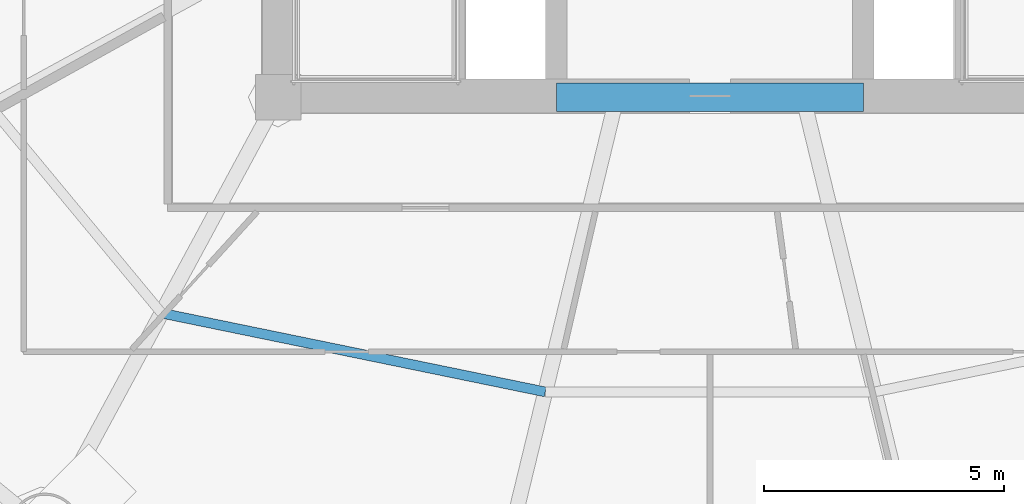
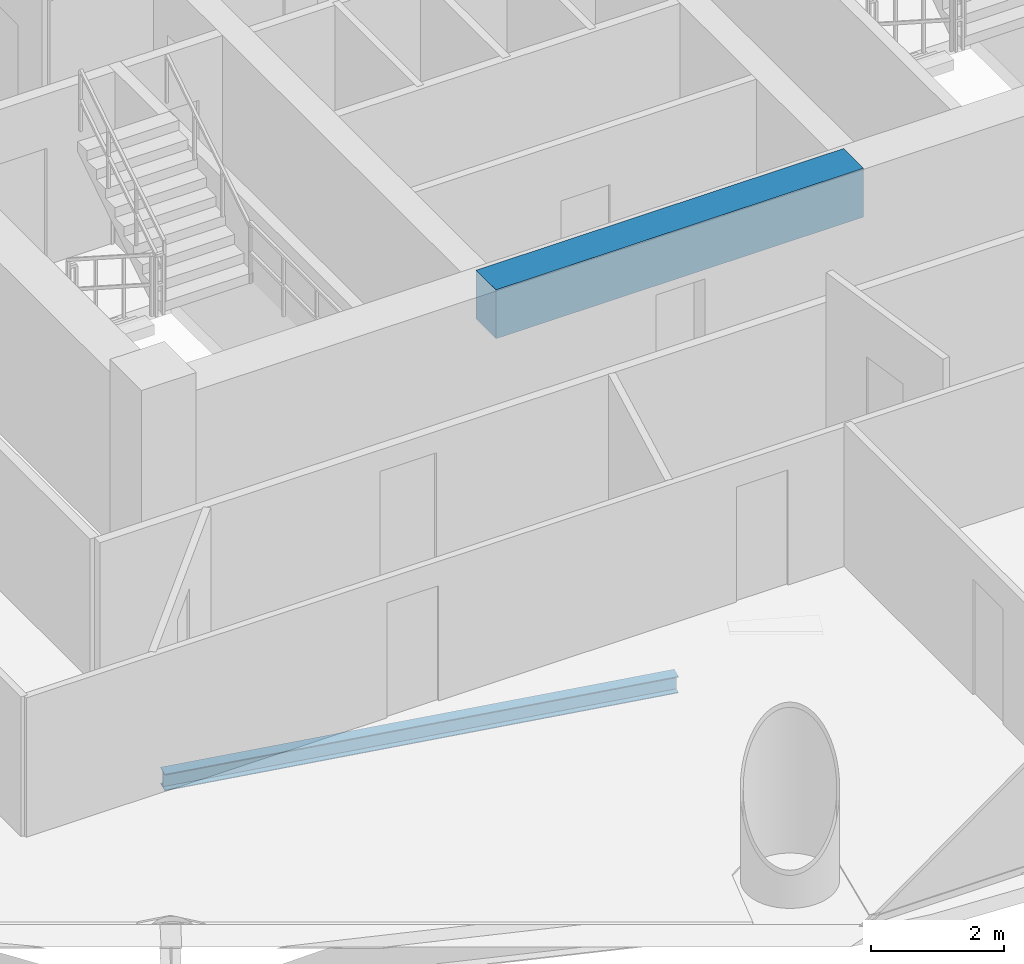
# One storey, part 6 of 29: 2 beams.
"""IFC4 building model written with IfcOpenShell, lengths in metres."""

from ifc_helpers import new_model, si_unit, direction, frame, origin, origin_2d, place, context, subcontext, project, spatial, rectangle, i_section, extrude, material, material_profile, profile_set, type_object, element, save


model = new_model("IFC4")

# Units and contexts
model_context = context("Model", 3, precision=1e-05, world=origin(), true_north=direction((-0.2419218956, 0.970295726276)))
body_context = subcontext(model_context, "Body", "Model", "MODEL_VIEW")
ifc_project = project(units=[si_unit("LENGTHUNIT", "METRE"), si_unit("AREAUNIT", "SQUARE_METRE"), si_unit("VOLUMEUNIT", "CUBIC_METRE"), si_unit("PLANEANGLEUNIT", "RADIAN"), si_unit("MASSUNIT", "GRAM", prefix="KILO")], contexts=[model_context])

# Site, building, storey
site_placement = place(None, origin())
site = spatial("IfcSite", under=ifc_project, at=site_placement, CompositionType="ELEMENT")
building_placement = place(site_placement, origin())
building = spatial("IfcBuilding", under=site, at=building_placement, Name="Cobrevalo Terracotta Tower", CompositionType="ELEMENT")
storey_placement = place(building_placement, frame((0.0, 0.0, 126.60009765625)))
storey = spatial("IfcBuildingStorey", under=building, at=storey_placement, Name="L33", CompositionType="ELEMENT", Elevation=126.60009765625)

# Beams
ifc_material_1 = material(Name="Concrete C60", Category="concrete")
ifc_material_profile_1 = material_profile(ifc_material_1, rectangle(XDim=0.60009765625, YDim=0.89990234375, at=origin_2d()), Name="RC CB 600x900")
ifc_profile_set_1 = profile_set([ifc_material_profile_1], Name="Concrete C60")
beam_type_1 = type_object("IfcBeamType", Name="Structural Beam RC CB 600x900 (Concrete C60)", PredefinedType="BEAM", material=ifc_profile_set_1)
beam_1_placement = place(storey_placement, frame((34.800048828125, 18.800048828125, 2.699951171875), z_axis=(1.0, 0.0, 0.0), x_axis=(0.0, 1.0, 0.0)))
element("IfcBeam", 1, at=beam_1_placement, inside=storey, type_object=beam_type_1, Name="L33 core coupling beam 1", PredefinedType="BEAM", context=body_context, shape_type="SweptSolid", body=[
    extrude(rectangle(XDim=0.60009765625, YDim=0.89990234375, at=origin_2d()), origin(), (0.0, 0.0, 1.0), 6.39990234375),
])
ifc_material_2 = material(Name="Steel S355", Category="steel")
ifc_material_profile_2 = material_profile(ifc_material_2, i_section(OverallWidth=0.2041015625, OverallDepth=0.305908203125, WebThickness=0.008544921875, FlangeThickness=0.0146484375, at=origin_2d()), Name="W 310x67")
ifc_profile_set_2 = profile_set([ifc_material_profile_2], Name="Steel S355")
beam_type_2 = type_object("IfcBeamType", Name="Structural Joist W 310x67 (Steel S355)", PredefinedType="JOIST", material=ifc_profile_set_2)
beam_2_placement = place(storey_placement, frame((26.5693359375, 14.29833984375, -0.427978515625), z_axis=(0.979574469315, -0.201081722357, 0.0), x_axis=(0.201081722357, 0.979574469315, 0.0)))
element("IfcBeam", 2, at=beam_2_placement, inside=storey, type_object=beam_type_2, Name="L33 circumferential secondary floor joist 11", PredefinedType="JOIST", context=body_context, shape_type="SweptSolid", body=[
    extrude(i_section(OverallWidth=0.2041015625, OverallDepth=0.305908203125, WebThickness=0.008544921875, FlangeThickness=0.0146484375, at=origin_2d()), origin(), (0.0, 0.0, 1.0), 8.1650390625),
])

save(model, "model.ifc")
